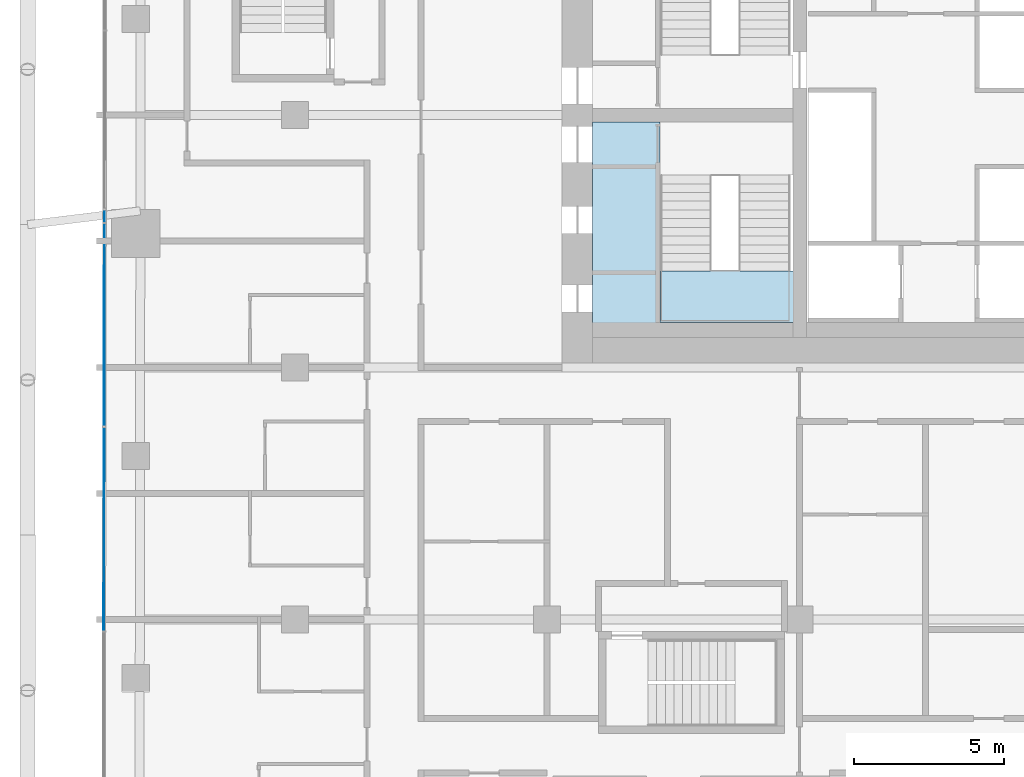
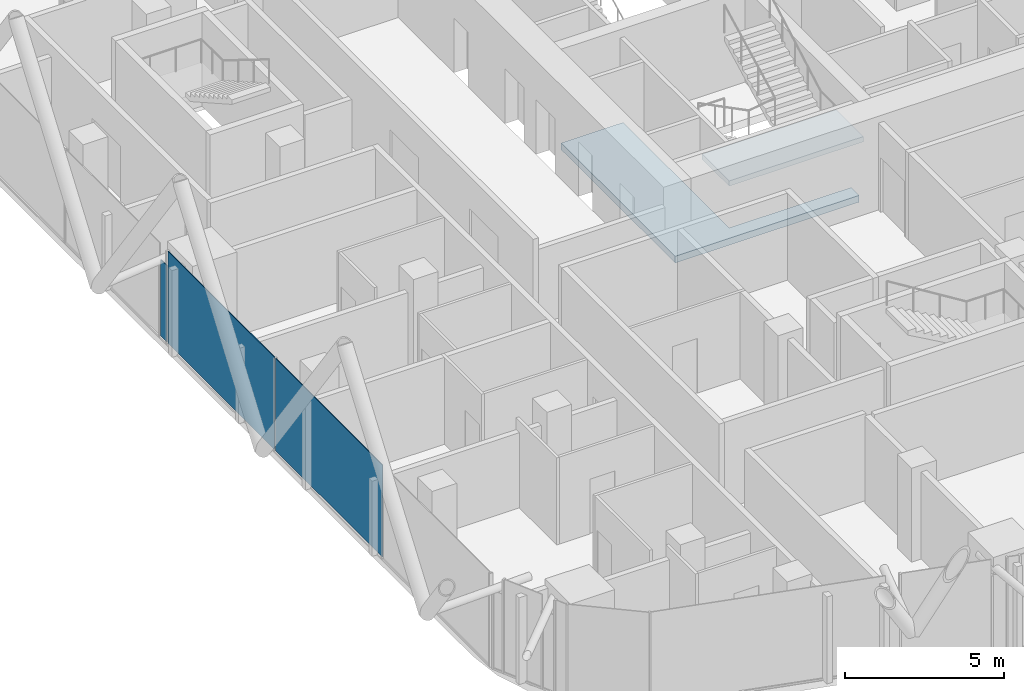
# One storey, part 20 of 36: 3 plates, 2 slabs, 3 elements without a shape of their own.
"""IFC4 building model written with IfcOpenShell, lengths in metres."""

from ifc_helpers import new_model, si_unit, direction, frame, origin, origin_2d, place, context, subcontext, project, spatial, polyline, rectangle, outline, extrude, material, layer, layer_set, type_object, element, aggregate, save


model = new_model("IFC4")

# Units and contexts
model_context = context("Model", 3, precision=1e-05, world=origin(), true_north=direction((0.0, 1.0)))
body_context = subcontext(model_context, "Body", "Model", "MODEL_VIEW")
ifc_project = project(units=[si_unit("LENGTHUNIT", "METRE"), si_unit("AREAUNIT", "SQUARE_METRE"), si_unit("VOLUMEUNIT", "CUBIC_METRE"), si_unit("PLANEANGLEUNIT", "RADIAN"), si_unit("MASSUNIT", "GRAM", prefix="KILO")], contexts=[model_context])

# Site, building, storey
site_placement = place(None, origin())
site = spatial("IfcSite", under=ifc_project, at=site_placement, CompositionType="ELEMENT")
building_placement = place(site_placement, origin())
building = spatial("IfcBuilding", under=site, at=building_placement, Name="Marenta Gate Hotel Tower", CompositionType="ELEMENT")
storey_placement = place(building_placement, frame((0.0, 0.0, 144.5)))
storey = spatial("IfcBuildingStorey", under=building, at=storey_placement, Name="L33", CompositionType="ELEMENT", Elevation=144.5)

# Slab
ifc_material_1 = material(Name="Concrete C40", Category="concrete")
ifc_layer_1 = layer(ifc_material_1, 0.260009765625)
ifc_layer_set_1 = layer_set([ifc_layer_1], Name="Concrete C40")
slab_type_1 = type_object("IfcSlabType", Name="Core floor slab 260", PredefinedType="FLOOR", material=ifc_layer_set_1)
slab_1_placement = place(storey_placement, frame((0.0, 0.0, -0.260009765625)))
element("IfcSlab", 1, at=slab_1_placement, inside=storey, type_object=slab_type_1, Name="L33-CF-5", PredefinedType="FLOOR", context=body_context, shape_type="SweptSolid", body=[
    extrude(outline(polyline([(-8.85009765625, 8.175048828125), (-8.85009765625, 8.10009765625), (-8.85009765625, 6.39990234375), (-8.85009765625, 1.5), (-4.425048828125, 1.5), (-4.425048828125, 1.0), (-11.10009765625, 1.0), (-11.10009765625, 8.175048828125), (-8.85009765625, 8.175048828125)])), origin(), (0.0, 0.0, 1.0), 0.260009765625),
])

# Stair, slab
ifc_material_2 = material(Name="Concrete C40", Category="concrete")
stair_type = type_object("IfcStairType", Name="Core exit stair 1700 wide", PredefinedType="HALF_TURN_STAIR", material=ifc_material_2)
stair_placement = place(storey_placement, origin())
stair = element("IfcStair", 2, at=stair_placement, inside=storey, type_object=stair_type, Name="Exit stair 1", PredefinedType="HALF_TURN_STAIR")
ifc_material_3 = material(Name="Concrete C40", Category="concrete")
ifc_layer_2 = layer(ifc_material_3, 0.199951171875)
ifc_layer_set_2 = layer_set([ifc_layer_2], Name="Concrete C40")
slab_type_2 = type_object("IfcSlabType", Name="Core stair landing 200", PredefinedType="LANDING", material=ifc_layer_set_2)
slab_2_placement = place(storey_placement, frame((0.0, 0.0, 1.60009765625)))
slab_2 = element("IfcSlab", 3, at=slab_2_placement, type_object=slab_type_2, Name="SL-200 ST1 landing 1", PredefinedType="LANDING", context=body_context, shape_type="SweptSolid", body=[
    extrude(outline(polyline([(-8.85009765625, 1.5), (-3.97509765625, 1.5), (-3.97509765625, 3.2099609375), (-8.85009765625, 3.2099609375), (-8.85009765625, 1.5)])), origin(), (0.0, 0.0, 1.0), 0.199951171875),
])
aggregate(stair, [slab_2])

# Curtain wall, plate
ifc_material_4 = material(Name="Tinted insulated glass in bronze anodised frame", Category="glass")
ifc_layer_3 = layer(ifc_material_4, 0.1201171875)
ifc_layer_set_3 = layer_set([ifc_layer_3], Name="Tinted insulated glass in bronze anodised frame")
curtain_wall_type = type_object("IfcCurtainWallType", Name="Tower unitised curtain wall CW1", PredefinedType="NOTDEFINED", material=ifc_layer_set_3)
curtain_wall_1_placement = place(storey_placement, origin())
curtain_wall_1 = element("IfcCurtainWall", 4, at=curtain_wall_1_placement, inside=storey, type_object=curtain_wall_type, Name="CW1 run G07", PredefinedType="NOTDEFINED")
ifc_material_5 = material(Name="Tinted insulated glass", Category="glass")
ifc_layer_4 = layer(ifc_material_5, 0.028076171875)
ifc_layer_set_4 = layer_set([ifc_layer_4], Name="Tinted insulated glass")
plate_type = type_object("IfcPlateType", Name="Glass panel CW1 28 mm tinted insulated unit", PredefinedType="CURTAIN_PANEL", material=ifc_layer_set_4)
plate_1_placement = place(storey_placement, frame((-27.340576171875, 5.03369140625, 0.06005859375), z_axis=(0.0, 0.0, 1.0), x_axis=(-0.001533404542, -0.999998824335, 0.0)))
plate_1 = element("IfcPlate", 5, at=plate_1_placement, type_object=plate_type, Name="CW1 panel 1.1", PredefinedType="CURTAIN_PANEL", context=body_context, shape_type="SweptSolid", body=[
    extrude(rectangle(XDim=0.396484375, YDim=0.028076171875, at=origin_2d()), origin(), (0.0, 0.0, 1.0), 2.9404296875),
])
aggregate(curtain_wall_1, [plate_1])

# Curtain wall, plates
curtain_wall_2_placement = place(storey_placement, origin())
curtain_wall_2 = element("IfcCurtainWall", 6, at=curtain_wall_2_placement, inside=storey, type_object=curtain_wall_type, Name="CW1 run G08", PredefinedType="NOTDEFINED")
plate_2_placement = place(storey_placement, frame((-27.34619140625, 1.412353515625, 0.06005859375), z_axis=(0.0, 0.0, 1.0), x_axis=(-0.001564882094, -0.999998775571, 0.0)))
plate_2 = element("IfcPlate", 7, at=plate_2_placement, type_object=plate_type, Name="CW1 panel 1.1", PredefinedType="CURTAIN_PANEL", context=body_context, shape_type="SweptSolid", body=[
    extrude(rectangle(XDim=6.726318359375, YDim=0.028076171875, at=origin_2d()), origin(), (0.0, 0.0, 1.0), 3.5400390625),
])
plate_3_placement = place(storey_placement, frame((-27.35693359375, -5.388916015625, 0.06005859375), z_axis=(0.0, 0.0, 1.0), x_axis=(-0.001564882094, -0.999998775571, 0.0)))
plate_3 = element("IfcPlate", 8, at=plate_3_placement, type_object=plate_type, Name="CW1 panel 2.1", PredefinedType="CURTAIN_PANEL", context=body_context, shape_type="SweptSolid", body=[
    extrude(rectangle(XDim=6.75634765625, YDim=0.028076171875, at=origin_2d()), origin(), (0.0, 0.0, 1.0), 3.5400390625),
])
aggregate(curtain_wall_2, [plate_2, plate_3])

save(model, "model.ifc")
